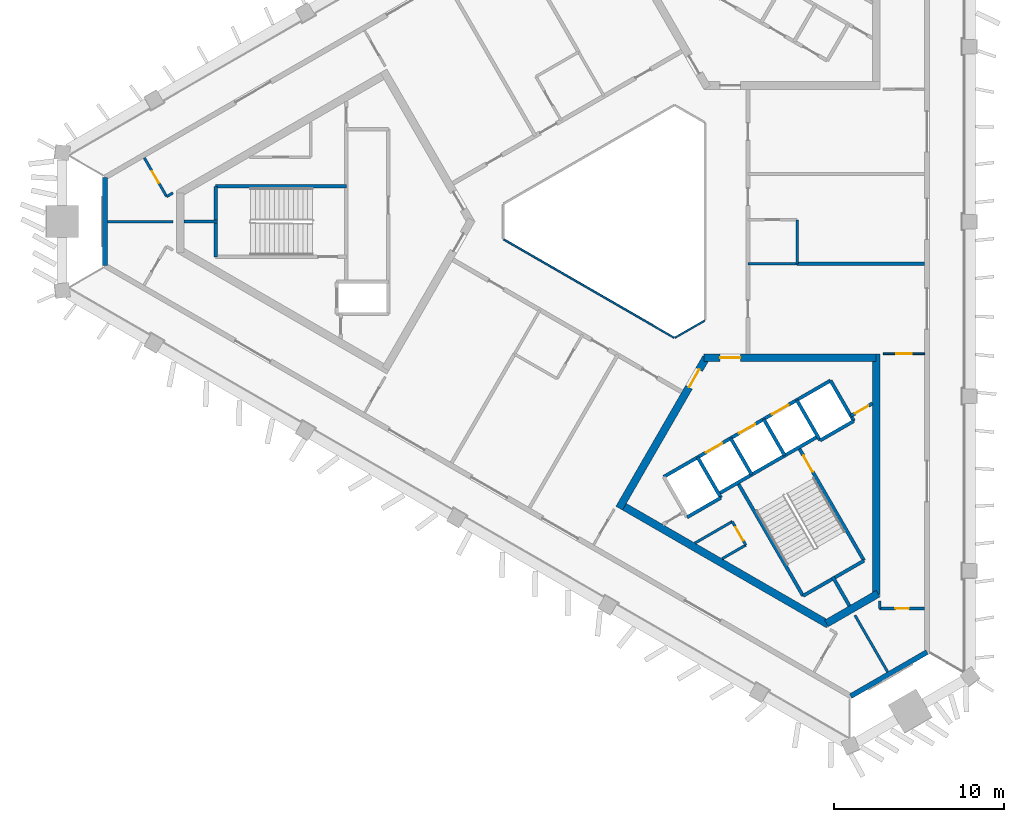
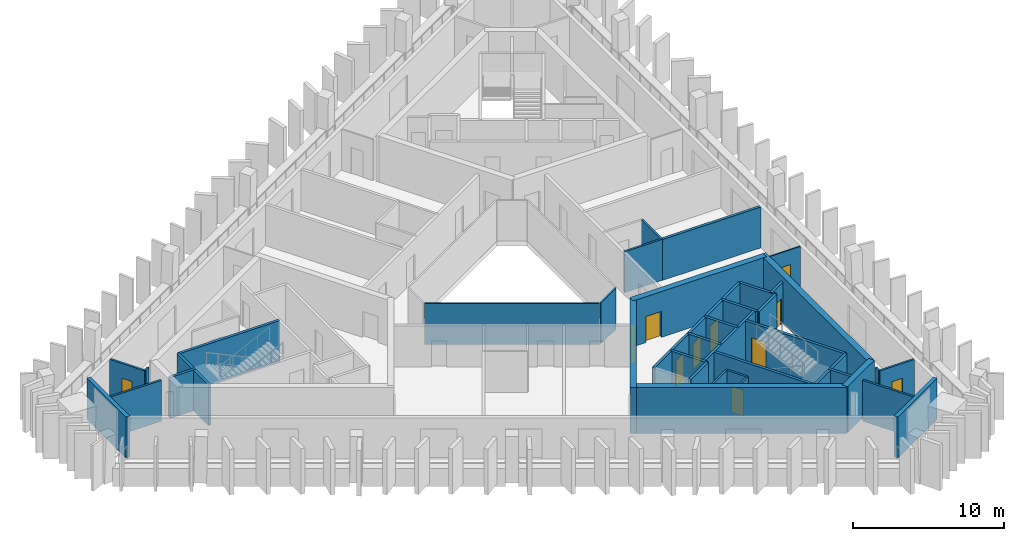
# One storey, part 3 of 9: 39 walls, 11 doors, 11 openings.
"""IFC4 building model written with IfcOpenShell, lengths in metres."""

from ifc_helpers import new_model, si_unit, direction, frame, frame_2d, origin, place, context, subcontext, project, spatial, rectangle, extrude, material, layer, layer_set, type_object, element, fill, save


model = new_model("IFC4")

# Units and contexts
model_context = context("Model", 3, precision=1e-05, world=origin(), true_north=direction((0.0, 1.0)))
body_context = subcontext(model_context, "Body", "Model", "MODEL_VIEW")
ifc_project = project(units=[si_unit("LENGTHUNIT", "METRE"), si_unit("AREAUNIT", "SQUARE_METRE"), si_unit("VOLUMEUNIT", "CUBIC_METRE"), si_unit("PLANEANGLEUNIT", "RADIAN"), si_unit("MASSUNIT", "GRAM", prefix="KILO")], contexts=[model_context])

# Site, building, storey
site_placement = place(None, origin())
site = spatial("IfcSite", under=ifc_project, at=site_placement, CompositionType="ELEMENT")
building_placement = place(site_placement, origin())
building = spatial("IfcBuilding", under=site, at=building_placement, Name="Jabali Bay Hotel Tower and Convention Centre", CompositionType="ELEMENT")
storey_placement = place(building_placement, frame((0.0, 0.0, 220.60009765625)))
storey = spatial("IfcBuildingStorey", under=building, at=storey_placement, Name="L54", CompositionType="ELEMENT", Elevation=220.60009765625)

# Walls
ifc_material_1 = material(Name="Fire-resistant glazing", Category="glass")
ifc_layer_1 = layer(ifc_material_1, 0.10009765625)
ifc_layer_set_1 = layer_set([ifc_layer_1], Name="Fire-resistant glazing")
wall_type_1 = type_object("IfcWallType", Name="Atrium glazed screen 100", PredefinedType="PARTITIONING", material=ifc_layer_set_1)
wall_1_placement = place(storey_placement, frame((67.7021484375, 78.947998046875, 0.0), z_axis=(0.0, 0.0, 1.0), x_axis=(0.866026658274, -0.499997827154, 0.0)))
element("IfcWall", 1, at=wall_1_placement, inside=storey, type_object=wall_type_1, Name="Atrium screen 5 L54", PredefinedType="PARTITIONING", context=body_context, shape_type="SweptSolid", body=[
    extrude(rectangle(XDim=11.58837890625, YDim=0.10009765625, at=frame_2d((5.794189453125, 0.0))), origin(), (0.0, 0.0, 1.0), 3.2998046875),
])
wall_2_placement = place(storey_placement, frame((77.7978515625, 73.15380859375, 0.0), z_axis=(0.0, 0.0, 1.0), x_axis=(0.866041268327, 0.499972520799, 0.0)))
element("IfcWall", 2, at=wall_2_placement, inside=storey, type_object=wall_type_1, Name="Atrium screen 6 L54", PredefinedType="PARTITIONING", context=body_context, shape_type="SweptSolid", body=[
    extrude(rectangle(XDim=2.0, YDim=0.10009765625, at=frame_2d((1.0, 0.0))), origin(), (0.0, 0.0, 1.0), 3.2998046875),
])
ifc_material_2 = material(Name="Concrete C40", Category="concrete")
ifc_layer_2 = layer(ifc_material_2, 0.199951171875)
ifc_layer_set_2 = layer_set([ifc_layer_2], Name="Concrete C40")
wall_type_2 = type_object("IfcWallType", Name="Core partition wall 200", PredefinedType="PARTITIONING", material=ifc_layer_set_2)
for number, where, z_axis, x_axis, name in (
    (3, (50.820068359375, 80.0, 0.0), (0.0, 0.0, 1.0), (-1.0, 0.0, 0.0), "Core wall 0.3 L54"),
    (4, (87.090087890625, 59.0595703125, 0.0), (0.0, 0.0, 1.0), (0.500011643316, -0.866018681408, 0.0), "Core wall 2.5 L54"),
):
    element("IfcWall", number, at=place(storey_placement, frame(where, z_axis=z_axis, x_axis=x_axis)), inside=storey, type_object=wall_type_2, Name=name, PredefinedType="PARTITIONING", context=body_context, shape_type="SweptSolid", body=[
        extrude(rectangle(XDim=1.97314453125, YDim=0.199951171875, at=frame_2d((0.986572265625, 0.0))), origin(), (0.0, 0.0, 1.0), 3.2998046875),
    ])

# Wall, opening, door
wall_3_placement = place(storey_placement, frame((88.164794921875, 68.548095703125, 0.0), z_axis=(0.0, 0.0, 1.0), x_axis=(0.866013036001, 0.500021421018, 0.0)))
wall_3 = element("IfcWall", 5, at=wall_3_placement, inside=storey, type_object=wall_type_2, Name="Core wall 2.12 L54", PredefinedType="PARTITIONING", context=body_context, shape_type="SweptSolid", body=[
    extrude(rectangle(XDim=1.4609375, YDim=0.199951171875, at=frame_2d((0.73046875, 0.0))), origin(), (0.0, 0.0, 1.0), 3.2998046875),
])
opening_1_placement = place(wall_3_placement, frame((0.280517578125, 0.0, 0.0)))
opening_1 = element("IfcOpeningElement", 6, at=opening_1_placement, cuts=wall_3, Name="Opening D1183", PredefinedType="OPENING", context=body_context, shape_type="SweptSolid", body=[
    extrude(rectangle(XDim=0.89990234375, YDim=2.10009765625, at=frame_2d((0.449951171875, 1.050048828125))), frame((0.0, 0.1103515625, 0.0), z_axis=(0.0, -1.0, 0.0), x_axis=(1.0, 0.0, 0.0)), (0.0, 0.0, 1.0), 0.220947265625),
])
ifc_material_3 = material(Name="Fire-rated steel door", Category="steel")
door_type_1 = type_object("IfcDoorType", Name="Vestibule fire door 900 x 2100", OperationType="NOTDEFINED", PredefinedType="NOTDEFINED", material=ifc_material_3)
door_1_placement = place(opening_1_placement, origin())
door_1 = element("IfcDoor", 7, at=door_1_placement, inside=storey, type_object=door_type_1, Name="Vestibule fire door D1183", OperationType="SINGLE_SWING_LEFT", OverallHeight=2.10009765625, OverallWidth=0.89990234375, PredefinedType="NOTDEFINED", context=body_context, shape_type="SweptSolid", body=[
    extrude(rectangle(XDim=0.89990234375, YDim=2.10009765625, at=frame_2d((0.449951171875, 1.050048828125))), frame((0.0, 0.02490234375, 0.0), z_axis=(0.0, -1.0, 0.0), x_axis=(1.0, 0.0, 0.0)), (0.0, 0.0, 1.0), 0.050048828125),
])
fill(opening_1, door_1)

ifc_material_4 = material(Name="Fire-rated board partition")
ifc_layer_3 = layer(ifc_material_4, 0.14990234375)
ifc_layer_set_3 = layer_set([ifc_layer_3], Name="Fire-rated board partition")
wall_type_3 = type_object("IfcWallType", Name="Core room partition 150", PredefinedType="PARTITIONING", material=ifc_layer_set_3)
wall_4_placement = place(storey_placement, frame((81.1689453125, 62.315185546875, 0.0), z_axis=(0.0, 0.0, 1.0), x_axis=(0.499995408039, -0.866028054938, 0.0)))
wall_4 = element("IfcWall", 8, at=wall_4_placement, inside=storey, type_object=wall_type_3, Name="Core wall 2.1 L54", PredefinedType="PARTITIONING", context=body_context, shape_type="SweptSolid", body=[
    extrude(rectangle(XDim=1.60009765625, YDim=0.14990234375, at=frame_2d((0.800048828125, 0.0))), origin(), (0.0, 0.0, 1.0), 3.2998046875),
])
opening_2_placement = place(wall_4_placement, frame((0.387451171875, 0.0, 0.0)))
opening_2 = element("IfcOpeningElement", 9, at=opening_2_placement, cuts=wall_4, Name="Opening D1186", PredefinedType="OPENING", context=body_context, shape_type="SweptSolid", body=[
    extrude(rectangle(XDim=0.89990234375, YDim=2.10009765625, at=frame_2d((0.449951171875, 1.050048828125))), frame((0.0, 0.08544921875, 0.0), z_axis=(0.0, -1.0, 0.0), x_axis=(1.0, 0.0, 0.0)), (0.0, 0.0, 1.0), 0.1708984375),
])
door_type_2 = type_object("IfcDoorType", Name="Core room door 900 x 2100", OperationType="NOTDEFINED", PredefinedType="NOTDEFINED", material=ifc_material_3)
door_2_placement = place(opening_2_placement, origin())
door_2 = element("IfcDoor", 10, at=door_2_placement, inside=storey, type_object=door_type_2, Name="Core room door D1186", OperationType="SINGLE_SWING_LEFT", OverallHeight=2.10009765625, OverallWidth=0.89990234375, PredefinedType="NOTDEFINED", context=body_context, shape_type="SweptSolid", body=[
    extrude(rectangle(XDim=0.89990234375, YDim=2.10009765625, at=frame_2d((0.449951171875, 1.050048828125))), frame((0.0, 0.02490234375, 0.0), z_axis=(0.0, -1.0, 0.0), x_axis=(1.0, 0.0, 0.0)), (0.0, 0.0, 1.0), 0.050048828125),
])
fill(opening_2, door_2)

# Walls
wall_5_placement = place(storey_placement, frame((78.969970703125, 61.045654296875, 0.0), z_axis=(0.0, 0.0, 1.0), x_axis=(0.866033475577, 0.499986018985, 0.0)))
element("IfcWall", 11, at=wall_5_placement, inside=storey, type_object=wall_type_3, Name="Core wall 2.16 L54", PredefinedType="PARTITIONING", context=body_context, shape_type="SweptSolid", body=[
    extrude(rectangle(XDim=2.5390625, YDim=0.14990234375, at=frame_2d((1.26953125, 0.0))), origin(), (0.0, 0.0, 1.0), 3.2998046875),
])
wall_6_placement = place(storey_placement, frame((80.570068359375, 60.121826171875, 0.0), z_axis=(0.0, 0.0, 1.0), x_axis=(0.866039608017, 0.49997539674, 0.0)))
element("IfcWall", 12, at=wall_6_placement, inside=storey, type_object=wall_type_3, Name="Core wall 2.17 L54", PredefinedType="PARTITIONING", context=body_context, shape_type="SweptSolid", body=[
    extrude(rectangle(XDim=1.615234375, YDim=0.14990234375, at=frame_2d((0.8076171875, 0.0))), origin(), (0.0, 0.0, 1.0), 3.2998046875),
])
ifc_layer_4 = layer(ifc_material_2, 0.199951171875)
ifc_layer_set_4 = layer_set([ifc_layer_4], Name="Concrete C40")
wall_type_4 = type_object("IfcWallType", Name="Core stair wall 200", PredefinedType="SOLIDWALL", material=ifc_layer_set_4)
wall_7_placement = place(storey_placement, frame((58.419921875, 82.074951171875, 0.0), z_axis=(0.0, 0.0, 1.0), x_axis=(-1.0, 0.0, 0.0)))
element("IfcWall", 13, at=wall_7_placement, inside=storey, type_object=wall_type_4, Name="Core wall 0.2 L54", PredefinedType="SOLIDWALL", context=body_context, shape_type="SweptSolid", body=[
    extrude(rectangle(XDim=7.699951171875, YDim=0.199951171875, at=frame_2d((3.85009765625, 0.0))), origin(), (0.0, 0.0, 1.0), 3.2998046875),
])
wall_8_placement = place(storey_placement, frame((50.719970703125, 82.074951171875, 0.0), z_axis=(0.0, 0.0, 1.0), x_axis=(0.0, -1.0, 0.0)))
element("IfcWall", 14, at=wall_8_placement, inside=storey, type_object=wall_type_4, Name="Core wall 0.12 L54", PredefinedType="SOLIDWALL", context=body_context, shape_type="SweptSolid", body=[
    extrude(rectangle(XDim=4.14990234375, YDim=0.199951171875, at=frame_2d((2.074951171875, 0.0))), origin(), (0.0, 0.0, 1.0), 3.2998046875),
])
wall_9_placement = place(storey_placement, frame((79.127197265625, 66.1015625, 0.0), z_axis=(0.0, 0.0, 1.0), x_axis=(0.499996545922, -0.866027397988, 0.0)))
element("IfcWall", 15, at=wall_9_placement, inside=storey, type_object=wall_type_4, Name="Core wall 2.2 L54", PredefinedType="SOLIDWALL", context=body_context, shape_type="SweptSolid", body=[
    extrude(rectangle(XDim=2.75, YDim=0.199951171875, at=frame_2d((1.375, 0.0))), origin(), (0.0, 0.0, 1.0), 3.2998046875),
])
wall_10_placement = place(storey_placement, frame((81.492919921875, 64.603759765625, 0.0), z_axis=(0.0, 0.0, 1.0), x_axis=(0.500006057782, -0.866021906294, 0.0)))
element("IfcWall", 16, at=wall_10_placement, inside=storey, type_object=wall_type_4, Name="Core wall 2.3 L54", PredefinedType="SOLIDWALL", context=body_context, shape_type="SweptSolid", body=[
    extrude(rectangle(XDim=7.7001953125, YDim=0.199951171875, at=frame_2d((3.85009765625, 0.0))), origin(), (0.0, 0.0, 1.0), 3.2998046875),
])
for number, where, z_axis, x_axis, name in (
    (17, (81.07568359375, 67.2265625, 0.0), (0.0, 0.0, 1.0), (0.50000366821, -0.866023285932, 0.0), "Core wall 2.4 L54"),
    (18, (83.024169921875, 68.3515625, 0.0), (0.0, 0.0, 1.0), (0.50000366821, -0.866023285932, 0.0), "Core wall 2.6 L54"),
):
    element("IfcWall", number, at=place(storey_placement, frame(where, z_axis=z_axis, x_axis=x_axis)), inside=storey, type_object=wall_type_4, Name=name, PredefinedType="SOLIDWALL", context=body_context, shape_type="SweptSolid", body=[
        extrude(rectangle(XDim=2.47998046875, YDim=0.199951171875, at=frame_2d((1.239990234375, 0.0))), origin(), (0.0, 0.0, 1.0), 3.2998046875),
    ])

# Wall, opening, door
wall_11_placement = place(storey_placement, frame((85.0869140625, 66.6787109375, 0.0), z_axis=(0.0, 0.0, 1.0), x_axis=(0.500019787375, -0.866013979237, 0.0)))
wall_11 = element("IfcWall", 19, at=wall_11_placement, inside=storey, type_object=wall_type_4, Name="Core wall 2.7 L54", PredefinedType="SOLIDWALL", context=body_context, shape_type="SweptSolid", body=[
    extrude(rectangle(XDim=7.699951171875, YDim=0.199951171875, at=frame_2d((3.85009765625, 0.0))), origin(), (0.0, 0.0, 1.0), 3.2998046875),
])
opening_3_placement = place(wall_11_placement, frame((0.550048828125, 0.0, 0.0)))
opening_3 = element("IfcOpeningElement", 20, at=opening_3_placement, cuts=wall_11, Name="Opening D1185", PredefinedType="OPENING", context=body_context, shape_type="SweptSolid", body=[
    extrude(rectangle(XDim=1.10009765625, YDim=2.10009765625, at=frame_2d((0.550048828125, 1.050048828125))), frame((0.0, 0.1103515625, 0.0), z_axis=(0.0, -1.0, 0.0), x_axis=(1.0, 0.0, 0.0)), (0.0, 0.0, 1.0), 0.220947265625),
])
door_type_3 = type_object("IfcDoorType", Name="Stair fire door 1100 x 2100", OperationType="NOTDEFINED", PredefinedType="NOTDEFINED", material=ifc_material_3)
door_3_placement = place(opening_3_placement, origin())
door_3 = element("IfcDoor", 21, at=door_3_placement, inside=storey, type_object=door_type_3, Name="Stair fire door D1185", OperationType="SINGLE_SWING_RIGHT", OverallHeight=2.10009765625, OverallWidth=1.10009765625, PredefinedType="NOTDEFINED", context=body_context, shape_type="SweptSolid", body=[
    extrude(rectangle(XDim=1.10009765625, YDim=2.10009765625, at=frame_2d((0.550048828125, 1.050048828125))), frame((0.0, 0.02490234375, 0.0), z_axis=(0.0, -1.0, 0.0), x_axis=(1.0, 0.0, 0.0)), (0.0, 0.0, 1.0), 0.050048828125),
])
fill(opening_3, door_3)

# Walls
for number, where, z_axis, x_axis, name in (
    (22, (84.972900390625, 69.4765625, 0.0), (0.0, 0.0, 1.0), (0.499996545922, -0.866027397988, 0.0), "Core wall 2.8 L54"),
    (23, (86.964599609375, 70.62646484375, 0.0), (0.0, 0.0, 1.0), (0.499996545922, -0.866027397988, 0.0), "Core wall 2.9 L54"),
):
    element("IfcWall", number, at=place(storey_placement, frame(where, z_axis=z_axis, x_axis=x_axis)), inside=storey, type_object=wall_type_4, Name=name, PredefinedType="SOLIDWALL", context=body_context, shape_type="SweptSolid", body=[
        extrude(rectangle(XDim=2.75, YDim=0.199951171875, at=frame_2d((1.375, 0.0))), origin(), (0.0, 0.0, 1.0), 3.2998046875),
    ])

# Wall, openings, doors
wall_12_placement = place(storey_placement, frame((77.13525390625, 64.95166015625, 0.0), z_axis=(0.0, 0.0, 1.0), x_axis=(0.866031916153, 0.499988720078, 0.0)))
wall_12 = element("IfcWall", 24, at=wall_12_placement, inside=storey, type_object=wall_type_4, Name="Core wall 2.10 L54", PredefinedType="SOLIDWALL", context=body_context, shape_type="SweptSolid", body=[
    extrude(rectangle(XDim=11.349853515625, YDim=0.199951171875, at=frame_2d((5.6748046875, 0.0))), origin(), (0.0, 0.0, 1.0), 3.2998046875),
])
opening_4_placement = place(wall_12_placement, frame((2.875, 0.0, 0.0)))
opening_4 = element("IfcOpeningElement", 25, at=opening_4_placement, cuts=wall_12, Name="Opening LD12-L54", PredefinedType="OPENING", context=body_context, shape_type="SweptSolid", body=[
    extrude(rectangle(XDim=1.10009765625, YDim=2.10009765625, at=frame_2d((0.550048828125, 1.050048828125))), frame((0.0, 0.1103515625, 0.0), z_axis=(0.0, -1.0, 0.0), x_axis=(1.0, 0.0, 0.0)), (0.0, 0.0, 1.0), 0.220947265625),
])
opening_5_placement = place(wall_12_placement, frame((5.125, 0.0, 0.0)))
opening_5 = element("IfcOpeningElement", 26, at=opening_5_placement, cuts=wall_12, Name="Opening LD13-L54", PredefinedType="OPENING", context=body_context, shape_type="SweptSolid", body=[
    extrude(rectangle(XDim=1.10009765625, YDim=2.10009765625, at=frame_2d((0.550048828125, 1.050048828125))), frame((0.0, 0.1103515625, 0.0), z_axis=(0.0, -1.0, 0.0), x_axis=(1.0, 0.0, 0.0)), (0.0, 0.0, 1.0), 0.220947265625),
])
opening_6_placement = place(wall_12_placement, frame((7.375, 0.0, 0.0)))
opening_6 = element("IfcOpeningElement", 27, at=opening_6_placement, cuts=wall_12, Name="Opening LD14-L54", PredefinedType="OPENING", context=body_context, shape_type="SweptSolid", body=[
    extrude(rectangle(XDim=1.10009765625, YDim=2.10009765625, at=frame_2d((0.550048828125, 1.050048828125))), frame((0.0, 0.1103515625, 0.0), z_axis=(0.0, -1.0, 0.0), x_axis=(1.0, 0.0, 0.0)), (0.0, 0.0, 1.0), 0.220947265625),
])
ifc_material_5 = material(Name="Stainless steel landing door", Category="steel")
door_type_4 = type_object("IfcDoorType", Name="Landing door 1100 x 2100", OperationType="NOTDEFINED", PredefinedType="NOTDEFINED", material=ifc_material_5)
door_4_placement = place(opening_4_placement, origin())
door_4 = element("IfcDoor", 28, at=door_4_placement, inside=storey, type_object=door_type_4, Name="Landing doors LD12-L54", OperationType="SLIDING_TO_LEFT", OverallHeight=2.10009765625, OverallWidth=1.10009765625, PredefinedType="NOTDEFINED", context=body_context, shape_type="SweptSolid", body=[
    extrude(rectangle(XDim=1.10009765625, YDim=2.10009765625, at=frame_2d((0.550048828125, 1.050048828125))), frame((0.0, 0.02490234375, 0.0), z_axis=(0.0, -1.0, 0.0), x_axis=(1.0, 0.0, 0.0)), (0.0, 0.0, 1.0), 0.050048828125),
])
fill(opening_4, door_4)
door_5_placement = place(opening_5_placement, origin())
door_5 = element("IfcDoor", 29, at=door_5_placement, inside=storey, type_object=door_type_4, Name="Landing doors LD13-L54", OperationType="SLIDING_TO_RIGHT", OverallHeight=2.10009765625, OverallWidth=1.10009765625, PredefinedType="NOTDEFINED", context=body_context, shape_type="SweptSolid", body=[
    extrude(rectangle(XDim=1.10009765625, YDim=2.10009765625, at=frame_2d((0.550048828125, 1.050048828125))), frame((0.0, 0.02490234375, 0.0), z_axis=(0.0, -1.0, 0.0), x_axis=(1.0, 0.0, 0.0)), (0.0, 0.0, 1.0), 0.050048828125),
])
fill(opening_5, door_5)
door_6_placement = place(opening_6_placement, origin())
door_6 = element("IfcDoor", 30, at=door_6_placement, inside=storey, type_object=door_type_4, Name="Landing doors LD14-L54", OperationType="SLIDING_TO_LEFT", OverallHeight=2.10009765625, OverallWidth=1.10009765625, PredefinedType="NOTDEFINED", context=body_context, shape_type="SweptSolid", body=[
    extrude(rectangle(XDim=1.10009765625, YDim=2.10009765625, at=frame_2d((0.550048828125, 1.050048828125))), frame((0.0, 0.02490234375, 0.0), z_axis=(0.0, -1.0, 0.0), x_axis=(1.0, 0.0, 0.0)), (0.0, 0.0, 1.0), 0.050048828125),
])
fill(opening_6, door_6)

# Walls
wall_13_placement = place(storey_placement, frame((80.3671875, 63.953857421875, 0.0), z_axis=(0.0, 0.0, 1.0), x_axis=(0.866026575979, 0.499997969693, 0.0)))
element("IfcWall", 31, at=wall_13_placement, inside=storey, type_object=wall_type_4, Name="Core wall 2.13 L54", PredefinedType="SOLIDWALL", context=body_context, shape_type="SweptSolid", body=[
    extrude(rectangle(XDim=6.75, YDim=0.199951171875, at=frame_2d((3.375, 0.0))), origin(), (0.0, 0.0, 1.0), 3.2998046875),
])
wall_14_placement = place(storey_placement, frame((78.51025390625, 62.570068359375, 0.0), z_axis=(0.0, 0.0, 1.0), x_axis=(0.866053019151, 0.499952165731, 0.0)))
element("IfcWall", 32, at=wall_14_placement, inside=storey, type_object=wall_type_4, Name="Core wall 2.14 L54", PredefinedType="SOLIDWALL", context=body_context, shape_type="SweptSolid", body=[
    extrude(rectangle(XDim=2.300048828125, YDim=0.199951171875, at=frame_2d((1.14990234375, 0.0))), origin(), (0.0, 0.0, 1.0), 3.2998046875),
])
wall_15_placement = place(storey_placement, frame((86.347900390625, 67.094970703125, 0.0), z_axis=(0.0, 0.0, 1.0), x_axis=(0.86602648383, 0.499998129301, 0.0)))
element("IfcWall", 33, at=wall_15_placement, inside=storey, type_object=wall_type_4, Name="Core wall 2.15 L54", PredefinedType="SOLIDWALL", context=body_context, shape_type="SweptSolid", body=[
    extrude(rectangle(XDim=2.2998046875, YDim=0.199951171875, at=frame_2d((1.14990234375, 0.0))), origin(), (0.0, 0.0, 1.0), 3.2998046875),
])
wall_16_placement = place(storey_placement, frame((85.343017578125, 57.935302734375, 0.0), z_axis=(0.0, 0.0, 1.0), x_axis=(0.866004344652, 0.500036473714, 0.0)))
element("IfcWall", 34, at=wall_16_placement, inside=storey, type_object=wall_type_4, Name="Core wall 2.18 L54", PredefinedType="SOLIDWALL", context=body_context, shape_type="SweptSolid", body=[
    extrude(rectangle(XDim=4.150146484375, YDim=0.199951171875, at=frame_2d((2.0751953125, 0.0))), origin(), (0.0, 0.0, 1.0), 3.2998046875),
])

# Wall, opening, door
ifc_material_6 = material(Name="Concrete C60", Category="concrete")
ifc_layer_5 = layer(ifc_material_6, 0.449951171875)
ifc_layer_set_5 = layer_set([ifc_layer_5], Name="Concrete C60")
wall_type_5 = type_object("IfcWallType", Name="Core wall 450", PredefinedType="SHEAR", material=ifc_layer_set_5)
wall_17_placement = place(storey_placement, frame((79.6298828125, 71.980712890625, 0.0), z_axis=(0.0, 0.0, 1.0), x_axis=(-0.500002171595, -0.86602415001, 0.0)))
wall_17 = element("IfcWall", 35, at=wall_17_placement, inside=storey, type_object=wall_type_5, Name="Core wall 3.1 L54", PredefinedType="SHEAR", context=body_context, shape_type="SweptSolid", body=[
    extrude(rectangle(XDim=10.25, YDim=0.449951171875, at=frame_2d((5.125, 0.0))), origin(), (0.0, 0.0, 1.0), 3.699951171875),
])
opening_7_placement = place(wall_17_placement, frame((0.820068359375, 0.0, 0.0)))
opening_7 = element("IfcOpeningElement", 36, at=opening_7_placement, cuts=wall_17, Name="Opening D1181", PredefinedType="OPENING", context=body_context, shape_type="SweptSolid", body=[
    extrude(rectangle(XDim=1.199951171875, YDim=2.10009765625, at=frame_2d((0.60009765625, 1.050048828125))), frame((0.0, 0.2353515625, 0.0), z_axis=(0.0, -1.0, 0.0), x_axis=(1.0, 0.0, 0.0)), (0.0, 0.0, 1.0), 0.470947265625),
])
door_type_5 = type_object("IfcDoorType", Name="Corridor end fire door 1200 x 2100", OperationType="NOTDEFINED", PredefinedType="NOTDEFINED", material=ifc_material_3)
door_7_placement = place(opening_7_placement, origin())
door_7 = element("IfcDoor", 37, at=door_7_placement, inside=storey, type_object=door_type_5, Name="Corridor end fire door D1181", OperationType="SINGLE_SWING_RIGHT", OverallHeight=2.10009765625, OverallWidth=1.199951171875, PredefinedType="NOTDEFINED", context=body_context, shape_type="SweptSolid", body=[
    extrude(rectangle(XDim=1.199951171875, YDim=2.10009765625, at=frame_2d((0.60009765625, 1.050048828125))), frame((0.0, 0.02490234375, 0.0), z_axis=(0.0, -1.0, 0.0), x_axis=(1.0, 0.0, 0.0)), (0.0, 0.0, 1.0), 0.050048828125),
])
fill(opening_7, door_7)

# Walls
wall_18_placement = place(storey_placement, frame((74.617431640625, 63.298828125, 0.0), z_axis=(0.0, 0.0, 1.0), x_axis=(0.86602594008, -0.499999071108, 0.0)))
element("IfcWall", 38, at=wall_18_placement, inside=storey, type_object=wall_type_5, Name="Core wall 3.2 L54", PredefinedType="SHEAR", context=body_context, shape_type="SweptSolid", body=[
    extrude(rectangle(XDim=14.1083984375, YDim=0.449951171875, at=frame_2d((7.05419921875, 0.0))), origin(), (0.0, 0.0, 1.0), 3.699951171875),
])
wall_19_placement = place(storey_placement, frame((86.72314453125, 56.3095703125, 0.0), z_axis=(0.0, 0.0, 1.0), x_axis=(0.866042179588, 0.49997094233, 0.0)))
element("IfcWall", 39, at=wall_19_placement, inside=storey, type_object=wall_type_5, Name="Core wall 3.3 L54", PredefinedType="SHEAR", context=body_context, shape_type="SweptSolid", body=[
    extrude(rectangle(XDim=3.515380859375, YDim=0.449951171875, at=frame_2d((1.7578125, 0.0))), origin(), (0.0, 0.0, 1.0), 3.699951171875),
])
wall_20_placement = place(storey_placement, frame((89.655029296875, 58.002197265625, 0.0), z_axis=(0.0, 0.0, 1.0), x_axis=(0.0, 1.0, 0.0)))
element("IfcWall", 40, at=wall_20_placement, inside=storey, type_object=wall_type_5, Name="Core wall 3.4 L54", PredefinedType="SHEAR", context=body_context, shape_type="SweptSolid", body=[
    extrude(rectangle(XDim=14.20361328125, YDim=0.449951171875, at=frame_2d((7.101806640625, 0.0))), origin(), (0.0, 0.0, 1.0), 3.699951171875),
])

# Wall, opening, door
wall_21_placement = place(storey_placement, frame((89.655029296875, 71.980712890625, 0.0), z_axis=(0.0, 0.0, 1.0), x_axis=(-1.0, 0.0, 0.0)))
wall_21 = element("IfcWall", 41, at=wall_21_placement, inside=storey, type_object=wall_type_5, Name="Core wall 3.5 L54", PredefinedType="SHEAR", context=body_context, shape_type="SweptSolid", body=[
    extrude(rectangle(XDim=10.155029296875, YDim=0.449951171875, at=frame_2d((5.07763671875, 0.0))), origin(), (0.0, 0.0, 1.0), 3.699951171875),
])
opening_8_placement = place(wall_21_placement, frame((8.0048828125, 0.0, 0.0)))
opening_8 = element("IfcOpeningElement", 42, at=opening_8_placement, cuts=wall_21, Name="Opening D1182", PredefinedType="OPENING", context=body_context, shape_type="SweptSolid", body=[
    extrude(rectangle(XDim=1.199951171875, YDim=2.10009765625, at=frame_2d((0.60009765625, 1.050048828125))), frame((0.0, 0.2353515625, 0.0), z_axis=(0.0, -1.0, 0.0), x_axis=(1.0, 0.0, 0.0)), (0.0, 0.0, 1.0), 0.470947265625),
])
door_8_placement = place(opening_8_placement, origin())
door_8 = element("IfcDoor", 43, at=door_8_placement, inside=storey, type_object=door_type_5, Name="Corridor end fire door D1182", OperationType="SINGLE_SWING_LEFT", OverallHeight=2.10009765625, OverallWidth=1.199951171875, PredefinedType="NOTDEFINED", context=body_context, shape_type="SweptSolid", body=[
    extrude(rectangle(XDim=1.199951171875, YDim=2.10009765625, at=frame_2d((0.60009765625, 1.050048828125))), frame((0.0, 0.02490234375, 0.0), z_axis=(0.0, -1.0, 0.0), x_axis=(1.0, 0.0, 0.0)), (0.0, 0.0, 1.0), 0.050048828125),
])
fill(opening_8, door_8)

# Walls
ifc_layer_6 = layer(ifc_material_2, 0.300048828125)
ifc_layer_set_6 = layer_set([ifc_layer_6], Name="Concrete C40")
wall_type_6 = type_object("IfcWallType", Name="External wall 300", PredefinedType="SOLIDWALL", material=ifc_layer_set_6)
wall_22_placement = place(storey_placement, frame((44.193359375, 77.403564453125, 0.0), z_axis=(0.0, 0.0, 1.0), x_axis=(0.0, 1.0, 0.0)))
element("IfcWall", 44, at=wall_22_placement, inside=storey, type_object=wall_type_6, Name="External wall west chamfer L54", PredefinedType="SOLIDWALL", context=body_context, shape_type="SweptSolid", body=[
    extrude(rectangle(XDim=5.19287109375, YDim=0.300048828125, at=frame_2d((2.596435546875, 0.0))), origin(), (0.0, 0.0, 1.0), 3.2998046875),
])
wall_23_placement = place(storey_placement, frame((92.652099609375, 54.618896484375, 0.0), z_axis=(0.0, 0.0, 1.0), x_axis=(-0.866044673852, -0.499966621779, 0.0)))
element("IfcWall", 45, at=wall_23_placement, inside=storey, type_object=wall_type_6, Name="External wall south-east chamfer L54", PredefinedType="SOLIDWALL", context=body_context, shape_type="SweptSolid", body=[
    extrude(rectangle(XDim=5.193115234375, YDim=0.300048828125, at=frame_2d((2.5966796875, 0.0))), origin(), (0.0, 0.0, 1.0), 3.2998046875),
])

# Wall, opening, door
ifc_material_7 = material(Name="Plasterboard on steel stud", Category="steel")
ifc_layer_7 = layer(ifc_material_7, 0.10009765625)
ifc_layer_set_7 = layer_set([ifc_layer_7], Name="Plasterboard on steel stud")
wall_type_7 = type_object("IfcWallType", Name="Partition 100 unit", PredefinedType="PARTITIONING", material=ifc_layer_set_7)
wall_24_placement = place(storey_placement, frame((90.0791015625, 72.205810546875, 0.0), z_axis=(0.0, 0.0, 1.0), x_axis=(1.0, 0.0, 0.0)))
wall_24 = element("IfcWall", 46, at=wall_24_placement, inside=storey, type_object=wall_type_7, Name="Partition P02 L54 001", PredefinedType="PARTITIONING", context=body_context, shape_type="SweptSolid", body=[
    extrude(rectangle(XDim=2.423828125, YDim=0.10009765625, at=frame_2d((1.2119140625, 0.0))), origin(), (0.0, 0.0, 1.0), 3.2998046875),
])
opening_9_placement = place(wall_24_placement, frame((0.761962890625, 0.0, 0.0)))
opening_9 = element("IfcOpeningElement", 47, at=opening_9_placement, cuts=wall_24, Name="Opening 5402", PredefinedType="OPENING", context=body_context, shape_type="SweptSolid", body=[
    extrude(rectangle(XDim=0.89990234375, YDim=2.10009765625, at=frame_2d((0.449951171875, 1.050048828125))), frame((0.0, 0.060546875, 0.0), z_axis=(0.0, -1.0, 0.0), x_axis=(1.0, 0.0, 0.0)), (0.0, 0.0, 1.0), 0.12109375),
])
ifc_material_8 = material(Name="Timber", Category="wood")
door_type_6 = type_object("IfcDoorType", Name="Internal door 900 x 2100", OperationType="NOTDEFINED", PredefinedType="NOTDEFINED", material=ifc_material_8)
door_9_placement = place(opening_9_placement, origin())
door_9 = element("IfcDoor", 48, at=door_9_placement, inside=storey, type_object=door_type_6, Name="Door 5402", OperationType="SINGLE_SWING_RIGHT", OverallHeight=2.10009765625, OverallWidth=0.89990234375, PredefinedType="NOTDEFINED", context=body_context, shape_type="SweptSolid", body=[
    extrude(rectangle(XDim=0.89990234375, YDim=2.10009765625, at=frame_2d((0.449951171875, 1.050048828125))), frame((0.0, 0.02490234375, 0.0), z_axis=(0.0, -1.0, 0.0), x_axis=(1.0, 0.0, 0.0)), (0.0, 0.0, 1.0), 0.050048828125),
])
fill(opening_9, door_9)

# Walls
ifc_layer_8 = layer(ifc_material_7, 0.14990234375)
ifc_layer_set_8 = layer_set([ifc_layer_8], Name="Plasterboard on steel stud")
wall_type_8 = type_object("IfcWallType", Name="Partition 150 wet", PredefinedType="PARTITIONING", material=ifc_layer_set_8)
wall_25_placement = place(storey_placement, frame((85.0, 77.505859375, 0.0), z_axis=(0.0, 0.0, 1.0), x_axis=(-1.0, 0.0, 0.0)))
element("IfcWall", 49, at=wall_25_placement, inside=storey, type_object=wall_type_8, Name="Partition P03 L54 003", PredefinedType="PARTITIONING", context=body_context, shape_type="SweptSolid", body=[
    extrude(rectangle(XDim=2.89990234375, YDim=0.14990234375, at=frame_2d((1.449951171875, 0.0))), origin(), (0.0, 0.0, 1.0), 3.2998046875),
])
wall_26_placement = place(storey_placement, frame((89.861083984375, 57.631591796875, 0.0), z_axis=(0.0, 0.0, 1.0), x_axis=(0.0, -1.0, 0.0)))
element("IfcWall", 50, at=wall_26_placement, inside=storey, type_object=wall_type_8, Name="Partition P03 L54 004", PredefinedType="PARTITIONING", context=body_context, shape_type="SweptSolid", body=[
    extrude(rectangle(XDim=0.44091796875, YDim=0.14990234375, at=frame_2d((0.220458984375, 0.0))), origin(), (0.0, 0.0, 1.0), 3.2998046875),
])

# Wall, opening, door
wall_27_placement = place(storey_placement, frame((89.861083984375, 57.190673828125, 0.0), z_axis=(0.0, 0.0, 1.0), x_axis=(1.0, 0.0, 0.0)))
wall_27 = element("IfcWall", 51, at=wall_27_placement, inside=storey, type_object=wall_type_8, Name="Partition P03 L54 005", PredefinedType="PARTITIONING", context=body_context, shape_type="SweptSolid", body=[
    extrude(rectangle(XDim=2.641845703125, YDim=0.14990234375, at=frame_2d((1.32080078125, 0.0))), origin(), (0.0, 0.0, 1.0), 3.2998046875),
])
opening_10_placement = place(wall_27_placement, frame((0.9208984375, 0.0, 0.0)))
opening_10 = element("IfcOpeningElement", 52, at=opening_10_placement, cuts=wall_27, Name="Opening 5403", PredefinedType="OPENING", context=body_context, shape_type="SweptSolid", body=[
    extrude(rectangle(XDim=0.800048828125, YDim=2.10009765625, at=frame_2d((0.39990234375, 1.050048828125))), frame((0.0, 0.08544921875, 0.0), z_axis=(0.0, -1.0, 0.0), x_axis=(1.0, 0.0, 0.0)), (0.0, 0.0, 1.0), 0.1708984375),
])
door_type_7 = type_object("IfcDoorType", Name="En-suite door 800 x 2100", OperationType="NOTDEFINED", PredefinedType="NOTDEFINED", material=ifc_material_8)
door_10_placement = place(opening_10_placement, origin())
door_10 = element("IfcDoor", 53, at=door_10_placement, inside=storey, type_object=door_type_7, Name="Door 5403", OperationType="SINGLE_SWING_LEFT", OverallHeight=2.10009765625, OverallWidth=0.800048828125, PredefinedType="NOTDEFINED", context=body_context, shape_type="SweptSolid", body=[
    extrude(rectangle(XDim=0.800048828125, YDim=2.10009765625, at=frame_2d((0.39990234375, 1.050048828125))), frame((0.0, 0.02490234375, 0.0), z_axis=(0.0, -1.0, 0.0), x_axis=(1.0, 0.0, 0.0)), (0.0, 0.0, 1.0), 0.050048828125),
])
fill(opening_10, door_10)

# Walls
wall_28_placement = place(storey_placement, frame((88.40185546875, 56.789306640625, 0.0), z_axis=(0.0, 0.0, 1.0), x_axis=(0.499980071345, -0.866036909293, 0.0)))
element("IfcWall", 54, at=wall_28_placement, inside=storey, type_object=wall_type_8, Name="Partition P03 L54 006", PredefinedType="PARTITIONING", context=body_context, shape_type="SweptSolid", body=[
    extrude(rectangle(XDim=3.855712890625, YDim=0.14990234375, at=frame_2d((1.927734375, 0.0))), origin(), (0.0, 0.0, 1.0), 3.2998046875),
])
wall_29_placement = place(storey_placement, frame((85.0, 80.10595703125, 0.0), z_axis=(0.0, 0.0, 1.0), x_axis=(0.0, -1.0, 0.0)))
element("IfcWall", 55, at=wall_29_placement, inside=storey, type_object=wall_type_8, Name="Partition P03 L54 008", PredefinedType="PARTITIONING", context=body_context, shape_type="SweptSolid", body=[
    extrude(rectangle(XDim=2.60009765625, YDim=0.14990234375, at=frame_2d((1.300048828125, 0.0))), origin(), (0.0, 0.0, 1.0), 3.2998046875),
])

# Wall, opening, door
wall_30_placement = place(storey_placement, frame((46.508056640625, 83.760986328125, 0.0), z_axis=(0.0, 0.0, 1.0), x_axis=(0.50000507839, -0.866022471755, 0.0)))
wall_30 = element("IfcWall", 56, at=wall_30_placement, inside=storey, type_object=wall_type_8, Name="Partition P03 L54 023", PredefinedType="PARTITIONING", context=body_context, shape_type="SweptSolid", body=[
    extrude(rectangle(XDim=2.64208984375, YDim=0.14990234375, at=frame_2d((1.321044921875, 0.0))), origin(), (0.0, 0.0, 1.0), 3.2998046875),
])
opening_11_placement = place(wall_30_placement, frame((0.9208984375, 0.0, 0.0)))
opening_11 = element("IfcOpeningElement", 57, at=opening_11_placement, cuts=wall_30, Name="Opening 5416", PredefinedType="OPENING", context=body_context, shape_type="SweptSolid", body=[
    extrude(rectangle(XDim=0.800048828125, YDim=2.10009765625, at=frame_2d((0.39990234375, 1.050048828125))), frame((0.0, 0.08544921875, 0.0), z_axis=(0.0, -1.0, 0.0), x_axis=(1.0, 0.0, 0.0)), (0.0, 0.0, 1.0), 0.1708984375),
])
door_11_placement = place(opening_11_placement, origin())
door_11 = element("IfcDoor", 58, at=door_11_placement, inside=storey, type_object=door_type_7, Name="Door 5416", OperationType="SINGLE_SWING_LEFT", OverallHeight=2.10009765625, OverallWidth=0.800048828125, PredefinedType="NOTDEFINED", context=body_context, shape_type="SweptSolid", body=[
    extrude(rectangle(XDim=0.800048828125, YDim=2.10009765625, at=frame_2d((0.39990234375, 1.050048828125))), frame((0.0, 0.02490234375, 0.0), z_axis=(0.0, -1.0, 0.0), x_axis=(1.0, 0.0, 0.0)), (0.0, 0.0, 1.0), 0.050048828125),
])
fill(opening_11, door_11)

# Walls
wall_31_placement = place(storey_placement, frame((47.8291015625, 81.472900390625, 0.0), z_axis=(0.0, 0.0, 1.0), x_axis=(0.86611877815, 0.499838235968, 0.0)))
element("IfcWall", 59, at=wall_31_placement, inside=storey, type_object=wall_type_8, Name="Partition P03 L54 024", PredefinedType="PARTITIONING", context=body_context, shape_type="SweptSolid", body=[
    extrude(rectangle(XDim=0.426025390625, YDim=0.14990234375, at=frame_2d((0.212890625, 0.0))), origin(), (0.0, 0.0, 1.0), 3.2998046875),
])
wall_32_placement = place(storey_placement, frame((44.34228515625, 80.0009765625, 0.0), z_axis=(0.0, 0.0, 1.0), x_axis=(1.0, 0.0, 0.0)))
element("IfcWall", 60, at=wall_32_placement, inside=storey, type_object=wall_type_8, Name="Partition P03 L54 025", PredefinedType="PARTITIONING", context=body_context, shape_type="SweptSolid", body=[
    extrude(rectangle(XDim=3.855712890625, YDim=0.14990234375, at=frame_2d((1.927734375, 0.0))), origin(), (0.0, 0.0, 1.0), 3.2998046875),
])
ifc_layer_9 = layer(ifc_material_7, 0.199951171875)
ifc_layer_set_9 = layer_set([ifc_layer_9], Name="Plasterboard on steel stud")
wall_type_9 = type_object("IfcWallType", Name="Partition 200 party", PredefinedType="PARTITIONING", material=ifc_layer_set_9)
wall_33_placement = place(storey_placement, frame((92.5029296875, 77.505859375, 0.0), z_axis=(0.0, 0.0, 1.0), x_axis=(-1.0, 0.0, 0.0)))
element("IfcWall", 61, at=wall_33_placement, inside=storey, type_object=wall_type_9, Name="Partition P01 L54 002", PredefinedType="PARTITIONING", context=body_context, shape_type="SweptSolid", body=[
    extrude(rectangle(XDim=7.5029296875, YDim=0.199951171875, at=frame_2d((3.75146484375, 0.0))), origin(), (0.0, 0.0, 1.0), 3.2998046875),
])

save(model, "model.ifc")
